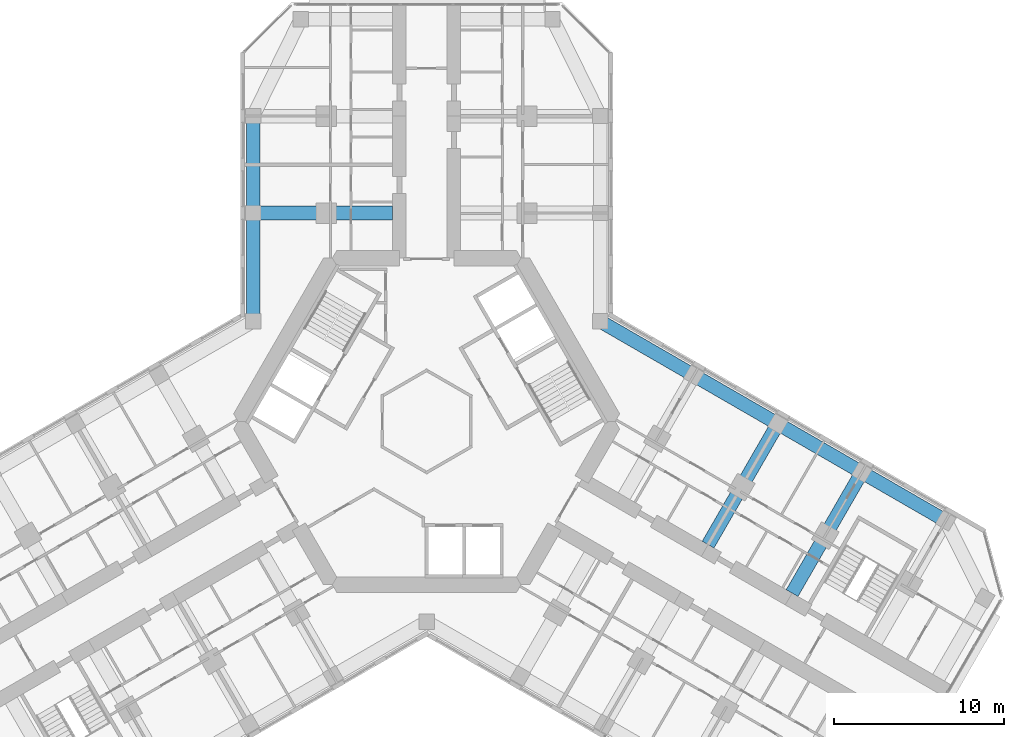
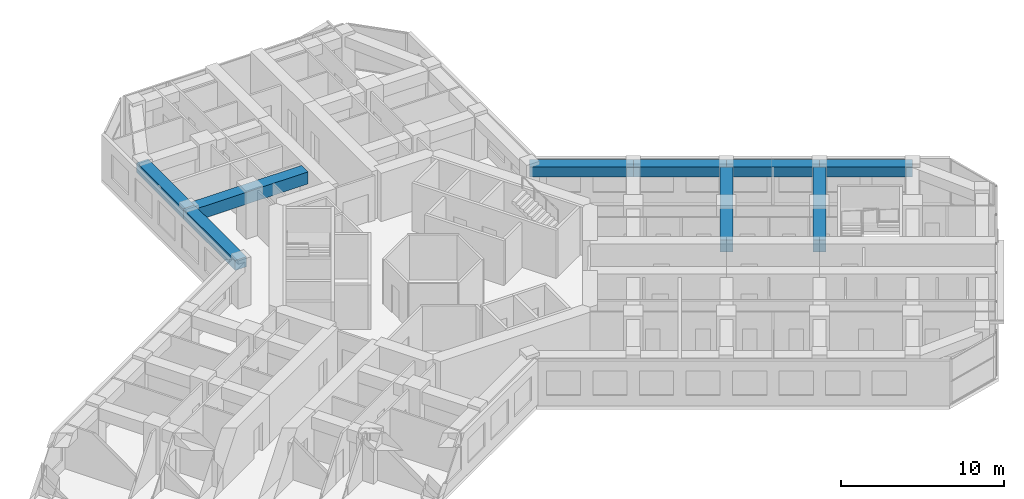
# One storey, part 6 of 19: 9 beams.
"""IFC4 building model written with IfcOpenShell, lengths in metres."""

from ifc_helpers import new_model, si_unit, direction, frame, origin, origin_2d, place, context, subcontext, project, spatial, rectangle, extrude, material, material_profile, profile_set, type_object, element, save


model = new_model("IFC4")

# Units and contexts
model_context = context("Model", 3, precision=1e-05, world=origin(), true_north=direction((0.0, 1.0)))
body_context = subcontext(model_context, "Body", "Model", "MODEL_VIEW")
ifc_project = project(units=[si_unit("LENGTHUNIT", "METRE"), si_unit("AREAUNIT", "SQUARE_METRE"), si_unit("VOLUMEUNIT", "CUBIC_METRE"), si_unit("PLANEANGLEUNIT", "RADIAN"), si_unit("MASSUNIT", "GRAM", prefix="KILO")], contexts=[model_context])

# Site, building, storey
site_placement = place(None, origin())
site = spatial("IfcSite", under=ifc_project, at=site_placement, CompositionType="ELEMENT")
building_placement = place(site_placement, origin())
building = spatial("IfcBuilding", under=site, at=building_placement, Name="Kosmar Iwan School Tower", CompositionType="ELEMENT")
storey_placement = place(building_placement, frame((0.0, 0.0, 165.199951171875)))
storey = spatial("IfcBuildingStorey", under=building, at=storey_placement, Name="L41", CompositionType="ELEMENT", Elevation=165.199951171875)

# Beams
ifc_material_1 = material(Name="Concrete C50/60", Category="concrete")
ifc_material_profile_1 = material_profile(ifc_material_1, rectangle(XDim=0.800048828125, YDim=0.75, at=origin_2d()), Name="RC 800x750")
ifc_profile_set_1 = profile_set([ifc_material_profile_1], Name="Concrete C50/60")
beam_type_1 = type_object("IfcBeamType", Name="RC edge beam 800x750", PredefinedType="BEAM", material=ifc_profile_set_1)
beam_1_placement = place(storey_placement, frame((-10.199951171875, 5.888916015625, 2.97509765625), z_axis=(0.0, 1.0, 0.0), x_axis=(-1.0, 0.0, 0.0)))
element("IfcBeam", 1, at=beam_1_placement, inside=storey, type_object=beam_type_1, Name="Edge beam AL1", PredefinedType="BEAM", context=body_context, shape_type="SweptSolid", body=[
    extrude(rectangle(XDim=0.800048828125, YDim=0.75, at=origin_2d()), origin(), (0.0, 0.0, 1.0), 6.361083984375),
])
beam_2_placement = place(storey_placement, frame((-10.199951171875, 12.25, 2.97509765625), z_axis=(0.0, 1.0, 0.0), x_axis=(-1.0, 0.0, 0.0)))
element("IfcBeam", 2, at=beam_2_placement, inside=storey, type_object=beam_type_1, Name="Edge beam AL2", PredefinedType="BEAM", context=body_context, shape_type="SweptSolid", body=[
    extrude(rectangle(XDim=0.800048828125, YDim=0.75, at=origin_2d()), origin(), (0.0, 0.0, 1.0), 5.699951171875),
])
beam_3_placement = place(storey_placement, frame((10.199951171875, 5.888916015625, 2.97509765625), z_axis=(0.866030912664, -0.49999045822, 0.0), x_axis=(0.49999045822, 0.866030912664, 0.0)))
element("IfcBeam", 3, at=beam_3_placement, inside=storey, type_object=beam_type_1, Name="Edge beam CL1", PredefinedType="BEAM", context=body_context, shape_type="SweptSolid", body=[
    extrude(rectangle(XDim=0.800048828125, YDim=0.75, at=origin_2d()), origin(), (0.0, 0.0, 1.0), 6.36083984375),
])
beam_4_placement = place(storey_placement, frame((15.708740234375, 2.70849609375, 2.97509765625), z_axis=(0.866025820012, -0.499999279071, 0.0), x_axis=(0.499999279071, 0.866025820012, 0.0)))
element("IfcBeam", 4, at=beam_4_placement, inside=storey, type_object=beam_type_1, Name="Edge beam CL2", PredefinedType="BEAM", context=body_context, shape_type="SweptSolid", body=[
    extrude(rectangle(XDim=0.800048828125, YDim=0.75, at=origin_2d()), origin(), (0.0, 0.0, 1.0), 5.7001953125),
])
for number, where, z_axis, x_axis, name in (
    (5, (20.645263671875, -0.1416015625, 2.97509765625), (0.866033658841, -0.49998570155, 0.0), (0.49998570155, 0.866033658841, 0.0), "Edge beam CL3"),
    (6, (25.58154296875, -2.991455078125, 2.97509765625), (0.866015111908, -0.50001782563, 0.0), (0.50001782563, 0.866015111908, 0.0), "Edge beam CL4"),
):
    element("IfcBeam", number, at=place(storey_placement, frame(where, z_axis=z_axis, x_axis=x_axis)), inside=storey, type_object=beam_type_1, Name=name, PredefinedType="BEAM", context=body_context, shape_type="SweptSolid", body=[
        extrude(rectangle(XDim=0.800048828125, YDim=0.75, at=origin_2d()), origin(), (0.0, 0.0, 1.0), 5.699951171875),
    ])
ifc_material_2 = material(Name="Concrete C50/60", Category="concrete")
ifc_material_profile_2 = material_profile(ifc_material_2, rectangle(XDim=0.800048828125, YDim=0.89990234375, at=origin_2d()), Name="RC 800x900")
ifc_profile_set_2 = profile_set([ifc_material_profile_2], Name="Concrete C50/60")
beam_type_2 = type_object("IfcBeamType", Name="RC transverse beam 800x900", PredefinedType="BEAM", material=ifc_profile_set_2)
for number, where, z_axis, x_axis, name in (
    (7, (-10.199951171875, 12.25, 2.900146484375), (1.0, 0.0, 0.0), (0.0, 1.0, 0.0), "Transverse beam AL1"),
    (8, (20.645263671875, -0.1416015625, 2.900146484375), (-0.500013681986, -0.866017504342, 0.0), (0.866017504342, -0.500013681986, 0.0), "Transverse beam CL2"),
):
    element("IfcBeam", number, at=place(storey_placement, frame(where, z_axis=z_axis, x_axis=x_axis)), inside=storey, type_object=beam_type_2, Name=name, PredefinedType="BEAM", context=body_context, shape_type="SweptSolid", body=[
        extrude(rectangle(XDim=0.800048828125, YDim=0.89990234375, at=origin_2d()), origin(), (0.0, 0.0, 1.0), 8.199951171875),
    ])
beam_5_placement = place(storey_placement, frame((25.58154296875, -2.991455078125, 2.900146484375), z_axis=(-0.500000789788, -0.8660249478, 0.0), x_axis=(0.8660249478, -0.500000789788, 0.0)))
element("IfcBeam", 9, at=beam_5_placement, inside=storey, type_object=beam_type_2, Name="Transverse beam CL3", PredefinedType="BEAM", context=body_context, shape_type="SweptSolid", body=[
    extrude(rectangle(XDim=0.800048828125, YDim=0.89990234375, at=origin_2d()), origin(), (0.0, 0.0, 1.0), 8.2001953125),
])

save(model, "model.ifc")
